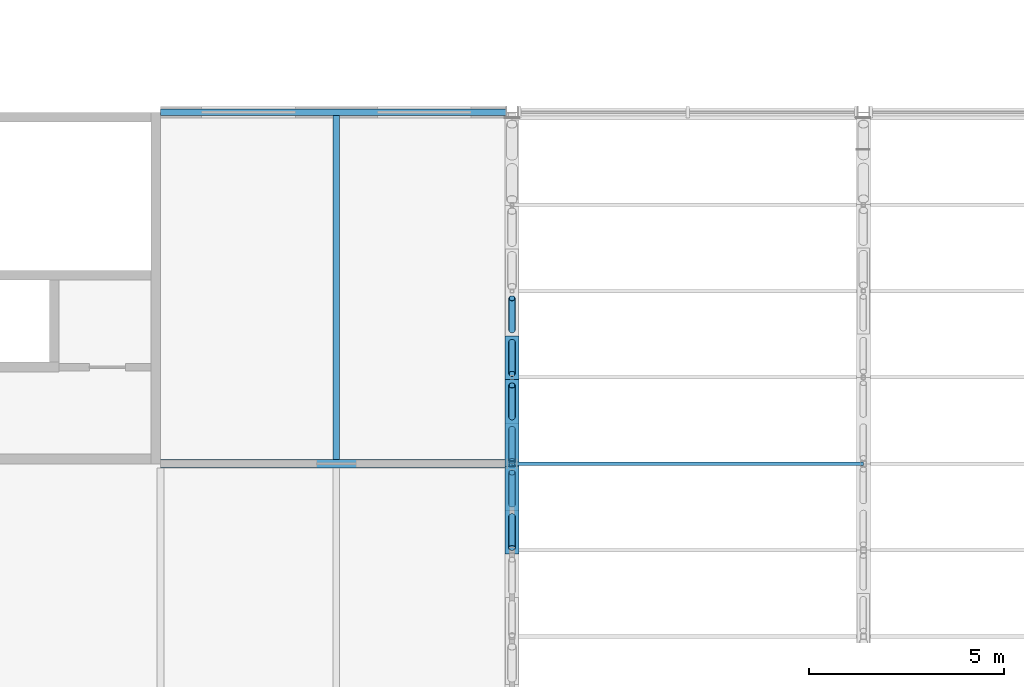
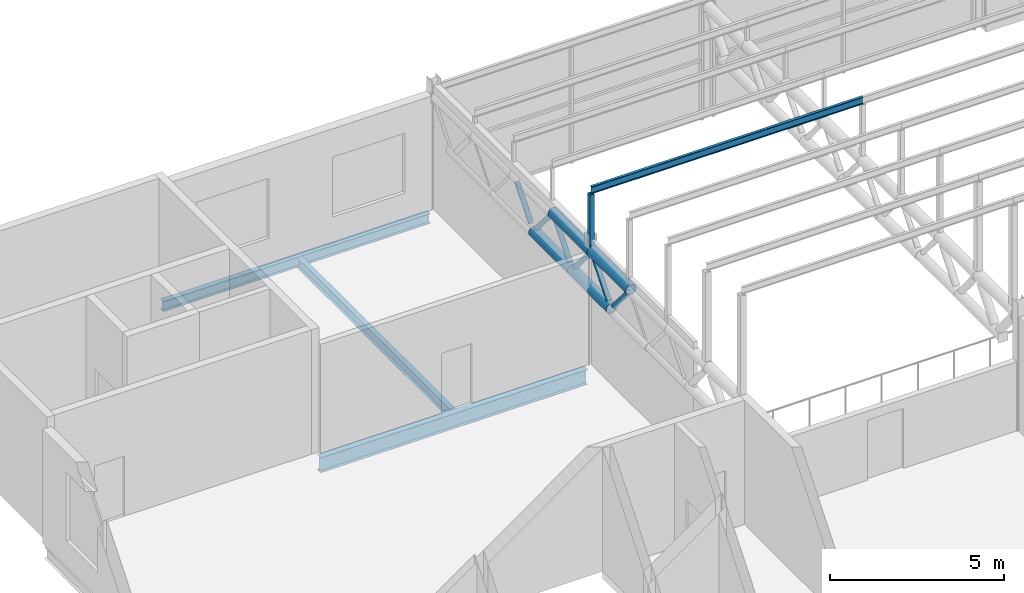
# One storey, part 29 of 138: 12 members, 3 beams.
"""IFC4 building model written with IfcOpenShell, lengths in metres."""

from ifc_helpers import new_model, si_unit, direction, frame, origin, origin_2d, place, context, subcontext, project, spatial, hollow_rectangle, hollow_circle, i_section, extrude, material, material_profile, profile_set, type_object, element, save


model = new_model("IFC4")

# Units and contexts
model_context = context("Model", 3, precision=1e-05, world=origin(), true_north=direction((0.0, 1.0)))
body_context = subcontext(model_context, "Body", "Model", "MODEL_VIEW")
ifc_project = project(units=[si_unit("LENGTHUNIT", "METRE"), si_unit("AREAUNIT", "SQUARE_METRE"), si_unit("VOLUMEUNIT", "CUBIC_METRE"), si_unit("PLANEANGLEUNIT", "RADIAN"), si_unit("MASSUNIT", "GRAM", prefix="KILO")], contexts=[model_context])

# Site, building, storey
site_placement = place(None, origin())
site = spatial("IfcSite", under=ifc_project, at=site_placement, CompositionType="ELEMENT")
building_placement = place(site_placement, origin())
building = spatial("IfcBuilding", under=site, at=building_placement, Name="Corbel Yard City Hall", CompositionType="ELEMENT")
storey_placement = place(building_placement, frame((0.0, 0.0, 10.5)))
storey = spatial("IfcBuildingStorey", under=building, at=storey_placement, Name="L02", CompositionType="ELEMENT", Elevation=10.5)

# Beams
ifc_material_1 = material(Name="Steel Grade 300 (300 MPa yield)", Category="steel")
ifc_material_profile_1 = material_profile(ifc_material_1, i_section(OverallWidth=0.172119140625, OverallDepth=0.35888671875, WebThickness=0.008056640625, FlangeThickness=0.012939453125, at=origin_2d()), Name="360UB56.7")
ifc_profile_set_1 = profile_set([ifc_material_profile_1], Name="Steel Grade 300 (300 MPa yield)")
beam_type_1 = type_object("IfcBeamType", Name="Edge beam 360UB56.7", PredefinedType="BEAM", material=ifc_profile_set_1)
beam_1_placement = place(storey_placement, frame((9.0, 27.0, -0.32958984375), z_axis=(1.0, 0.0, 0.0), x_axis=(0.0, 1.0, 0.0)))
element("IfcBeam", 1, at=beam_1_placement, inside=storey, type_object=beam_type_1, Name="Edge beam 360UB56.7 EB4 L02floor", PredefinedType="BEAM", context=body_context, shape_type="SweptSolid", body=[
    extrude(i_section(OverallWidth=0.172119140625, OverallDepth=0.35888671875, WebThickness=0.008056640625, FlangeThickness=0.012939453125, at=origin_2d()), origin(), (0.0, 0.0, 1.0), 8.842529296875),
])
ifc_material_profile_2 = material_profile(ifc_material_1, i_section(OverallWidth=0.208984375, OverallDepth=0.528076171875, WebThickness=0.009521484375, FlangeThickness=0.01318359375, at=origin_2d()), Name="530UB82.0")
ifc_profile_set_2 = profile_set([ifc_material_profile_2], Name="Steel Grade 300 (300 MPa yield)")
beam_type_2 = type_object("IfcBeamType", Name="Girder 530UB82.0", PredefinedType="BEAM", material=ifc_profile_set_2)
beam_2_placement = place(storey_placement, frame((9.0, 18.0, -0.4140625), z_axis=(1.0, 0.0, 0.0), x_axis=(0.0, 1.0, 0.0)))
element("IfcBeam", 2, at=beam_2_placement, inside=storey, type_object=beam_type_2, Name="Girder 530UB82.0 GB3 L02floor", PredefinedType="BEAM", context=body_context, shape_type="SweptSolid", body=[
    extrude(i_section(OverallWidth=0.208984375, OverallDepth=0.528076171875, WebThickness=0.009521484375, FlangeThickness=0.01318359375, at=origin_2d()), origin(), (0.0, 0.0, 1.0), 8.842529296875),
])

# Members
ifc_material_2 = material(Name="Steel Grade C350L0", Category="steel")
ifc_material_profile_3 = material_profile(ifc_material_2, hollow_circle(Radius=0.177734375, WallThickness=0.0126953125, at=origin_2d()), Name="355.6x12.7CHS")
ifc_profile_set_3 = profile_set([ifc_material_profile_3], Name="Steel Grade C350L0")
member_type_1 = type_object("IfcMemberType", Name="Hall roof truss bottom chord 355.6x12.7CHS", PredefinedType="CHORD", material=ifc_profile_set_3)
for number, where, z_axis, x_axis, name in (
    (3, (18.0, 16.808349609375, 2.59228515625), (0.0, 1.0, 0.0), (-1.0, 0.0, 0.0), "Hall roof truss bottom chord 355.6x12.7CHS TC3"),
    (4, (18.0, 19.039306640625, 2.59228515625), (0.0, 1.0, 0.0), (-1.0, 0.0, 0.0), "Hall roof truss bottom chord 355.6x12.7CHS TC3"),
):
    element("IfcMember", number, at=place(storey_placement, frame(where, z_axis=z_axis, x_axis=x_axis)), inside=storey, type_object=member_type_1, Name=name, PredefinedType="CHORD", context=body_context, shape_type="SweptSolid", body=[
        extrude(hollow_circle(Radius=0.177734375, WallThickness=0.0126953125, at=origin_2d()), origin(), (0.0, 0.0, 1.0), 2.23095703125),
    ])
ifc_material_profile_4 = material_profile(ifc_material_2, hollow_circle(Radius=0.084228515625, WallThickness=0.007080078125, at=origin_2d()), Name="168.3x7.1CHS")
ifc_profile_set_4 = profile_set([ifc_material_profile_4], Name="Steel Grade C350L0")
member_type_2 = type_object("IfcMemberType", Name="Hall roof truss diagonal 168.3x7.1CHS", PredefinedType="STRUT", material=ifc_profile_set_4)
for number, where, z_axis, x_axis, name in (
    (5, (18.0, 15.842041015625, 3.744384765625), (0.0, 0.64257954038, -0.766218985855), (-1.0, 0.0, 0.0), "Hall roof truss diagonal 168.3x7.1CHS TD3"),
    (6, (18.0, 16.95751953125, 2.77001953125), (0.0, 0.64257954038, 0.766218985855), (-1.0, 0.0, 0.0), "Hall roof truss diagonal 168.3x7.1CHS TD3"),
    (7, (18.0, 18.07275390625, 3.744384765625), (0.0, 0.642692233301, -0.766124463292), (-1.0, 0.0, 0.0), "Hall roof truss diagonal 168.3x7.1CHS TD3"),
    (8, (18.0, 19.188232421875, 2.77001953125), (0.0, 0.642692233301, 0.766124463292), (-1.0, 0.0, 0.0), "Hall roof truss diagonal 168.3x7.1CHS TD3"),
    (9, (18.0, 20.3037109375, 3.744384765625), (0.0, 0.642692233301, -0.766124463292), (-1.0, 0.0, 0.0), "Hall roof truss diagonal 168.3x7.1CHS TD3"),
    (10, (18.0, 21.419189453125, 2.77001953125), (0.0, 0.642692233301, 0.766124463292), (-1.0, 0.0, 0.0), "Hall roof truss diagonal 168.3x7.1CHS TD3"),
):
    element("IfcMember", number, at=place(storey_placement, frame(where, z_axis=z_axis, x_axis=x_axis)), inside=storey, type_object=member_type_2, Name=name, PredefinedType="STRUT", context=body_context, shape_type="SweptSolid", body=[
        extrude(hollow_circle(Radius=0.084228515625, WallThickness=0.007080078125, at=origin_2d()), origin(), (0.0, 0.0, 1.0), 1.271728515625),
    ])
ifc_material_profile_5 = material_profile(ifc_material_2, hollow_circle(Radius=0.177734375, WallThickness=0.0126953125, at=origin_2d()), Name="355.6x12.7CHS")
ifc_profile_set_5 = profile_set([ifc_material_profile_5], Name="Steel Grade C350L0")
member_type_3 = type_object("IfcMemberType", Name="Hall roof truss top chord 355.6x12.7CHS", PredefinedType="CHORD", material=ifc_profile_set_5)
for number, where, z_axis, x_axis, name in (
    (11, (18.0, 15.69287109375, 3.922119140625), (0.0, 1.0, 0.0), (-1.0, 0.0, 0.0), "Hall roof truss top chord 355.6x12.7CHS TC1"),
    (12, (18.0, 17.923828125, 3.922119140625), (0.0, 1.0, 0.0), (-1.0, 0.0, 0.0), "Hall roof truss top chord 355.6x12.7CHS TC1"),
):
    element("IfcMember", number, at=place(storey_placement, frame(where, z_axis=z_axis, x_axis=x_axis)), inside=storey, type_object=member_type_3, Name=name, PredefinedType="CHORD", context=body_context, shape_type="SweptSolid", body=[
        extrude(hollow_circle(Radius=0.177734375, WallThickness=0.0126953125, at=origin_2d()), origin(), (0.0, 0.0, 1.0), 2.23095703125),
    ])
ifc_material_profile_6 = material_profile(ifc_material_1, i_section(OverallWidth=0.090087890625, OverallDepth=0.25, WebThickness=0.008056640625, FlangeThickness=0.014892578125, at=origin_2d()), Name="250PFC")
ifc_profile_set_6 = profile_set([ifc_material_profile_6], Name="Steel Grade 300 (300 MPa yield)")
member_type_4 = type_object("IfcMemberType", Name="Purlin 250PFC", PredefinedType="PURLIN", material=ifc_profile_set_6)
member_1_placement = place(storey_placement, frame((18.0, 18.0, 6.01611328125), z_axis=(1.0, 0.0, 0.0), x_axis=(0.0, 1.0, 0.0)))
element("IfcMember", 13, at=member_1_placement, inside=storey, type_object=member_type_4, Name="Purlin 250PFC PU1", PredefinedType="PURLIN", context=body_context, shape_type="SweptSolid", body=[
    extrude(i_section(OverallWidth=0.090087890625, OverallDepth=0.25, WebThickness=0.008056640625, FlangeThickness=0.014892578125, at=origin_2d()), origin(), (0.0, 0.0, 1.0), 9.0),
])
ifc_material_3 = material(Name="Steel Grade C450L0", Category="steel")
ifc_material_profile_7 = material_profile(ifc_material_3, hollow_rectangle(XDim=0.14990234375, YDim=0.14990234375, WallThickness=0.009033203125, at=origin_2d()), Name="150x150x9.0SHS")
ifc_profile_set_7 = profile_set([ifc_material_profile_7], Name="Steel Grade C450L0")
member_type_5 = type_object("IfcMemberType", Name="Roof post 150x150x9.0SHS", PredefinedType="POST", material=ifc_profile_set_7)
member_2_placement = place(storey_placement, frame((18.0, 18.0, 4.10009765625), z_axis=(0.0, 0.0, 1.0), x_axis=(1.0, 0.0, 0.0)))
element("IfcMember", 14, at=member_2_placement, inside=storey, type_object=member_type_5, Name="Roof post 150x150x9.0SHS RP2", PredefinedType="POST", context=body_context, shape_type="SweptSolid", body=[
    extrude(hollow_rectangle(XDim=0.14990234375, YDim=0.14990234375, WallThickness=0.009033203125, at=origin_2d()), origin(), (0.0, 0.0, 1.0), 1.791015625),
])

# Beam
ifc_material_profile_8 = material_profile(ifc_material_1, i_section(OverallWidth=0.1708984375, OverallDepth=0.35595703125, WebThickness=0.00732421875, FlangeThickness=0.011474609375, at=origin_2d()), Name="360UB50.7")
ifc_profile_set_8 = profile_set([ifc_material_profile_8], Name="Steel Grade 300 (300 MPa yield)")
beam_type_3 = type_object("IfcBeamType", Name="Secondary beam 360UB50.7", PredefinedType="JOIST", material=ifc_profile_set_8)
beam_3_placement = place(storey_placement, frame((13.5, 18.1044921875, -0.327880859375), z_axis=(0.0, 1.0, 0.0), x_axis=(-1.0, 0.0, 0.0)))
element("IfcBeam", 15, at=beam_3_placement, inside=storey, type_object=beam_type_3, Name="Secondary beam 360UB50.7 SB10 L02floor", PredefinedType="JOIST", context=body_context, shape_type="SweptSolid", body=[
    extrude(i_section(OverallWidth=0.1708984375, OverallDepth=0.35595703125, WebThickness=0.00732421875, FlangeThickness=0.011474609375, at=origin_2d()), origin(), (0.0, 0.0, 1.0), 8.8095703125),
])

save(model, "model.ifc")
